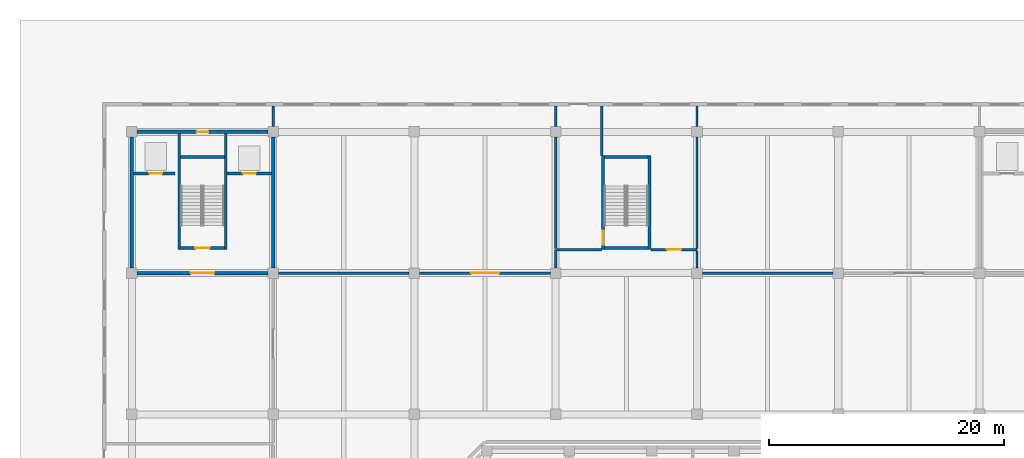
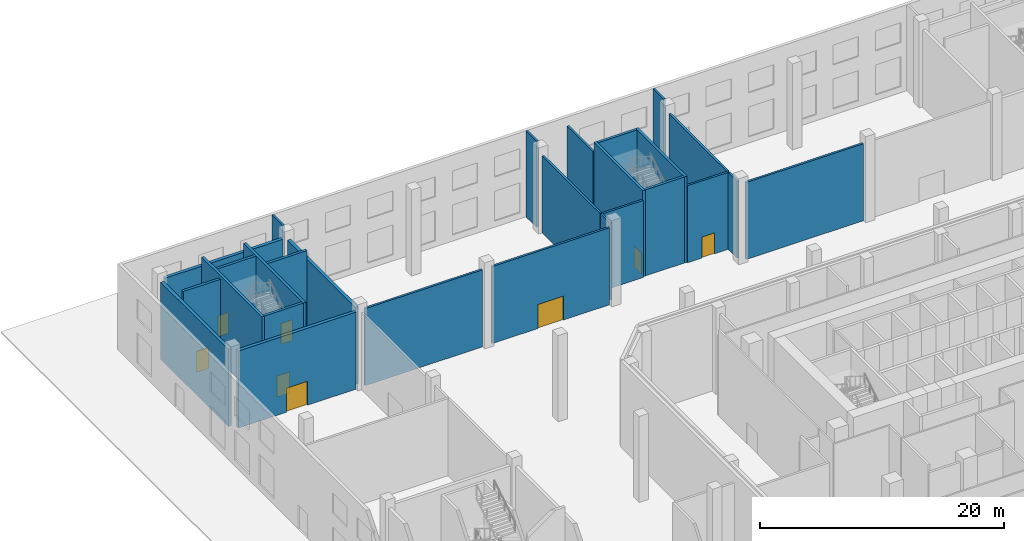
# One storey, part 26 of 43: 27 walls, 8 doors, 8 openings.
"""IFC4 building model written with IfcOpenShell, lengths in metres."""

from ifc_helpers import new_model, si_unit, direction, frame, frame_2d, origin, place, context, subcontext, project, spatial, rectangle, extrude, source, transform, mapped, material, layer, layer_set, type_object, element, fill, save


model = new_model("IFC4")

# Units and contexts
model_context = context("Model", 3, precision=1e-05, world=origin(), true_north=direction((0.0, 1.0)))
body_context = subcontext(model_context, "Body", "Model", "MODEL_VIEW")
ifc_project = project(units=[si_unit("LENGTHUNIT", "METRE"), si_unit("AREAUNIT", "SQUARE_METRE"), si_unit("VOLUMEUNIT", "CUBIC_METRE"), si_unit("PLANEANGLEUNIT", "RADIAN"), si_unit("MASSUNIT", "GRAM", prefix="KILO")], contexts=[model_context])

# Site, building, storey
site_placement = place(None, origin())
site = spatial("IfcSite", under=ifc_project, at=site_placement, CompositionType="ELEMENT")
building_placement = place(site_placement, origin())
building = spatial("IfcBuilding", under=site, at=building_placement, Name="Kilnfold Tower and Market Hall", CompositionType="ELEMENT")
storey_placement = place(building_placement, origin())
storey = spatial("IfcBuildingStorey", under=building, at=storey_placement, Name="L00", CompositionType="ELEMENT", Elevation=0.0)

# Wall
ifc_material_1 = material(Name="Concrete C50/60", Category="concrete")
ifc_layer_1 = layer(ifc_material_1, 0.25)
ifc_layer_set_1 = layer_set([ifc_layer_1], Name="Concrete C50/60")
wall_type_1 = type_object("IfcWallType", Name="HALL CORE WALL 250", PredefinedType="SHEAR", material=ifc_layer_set_1)
shared_shape_1 = source(origin(), body_context, "Body", "SweptSolid", [
    extrude(rectangle(XDim=3.699951171875, YDim=0.25, at=frame_2d((1.85009765625, 0.0))), origin(), (0.0, 0.0, 1.0), 8.60009765625),
])
wall_1_placement = place(storey_placement, frame((-46.800048828125, 52.52490234375, 0.0), z_axis=(0.0, 0.0, 1.0), x_axis=(-1.0, 0.0, 0.0)))
element("IfcWall", 1, at=wall_1_placement, inside=storey, type_object=wall_type_1, Name="Core wall MH2", PredefinedType="SHEAR", context=body_context, shape_type="MappedRepresentation", body=[
    mapped(shared_shape_1, transform((0.0, 0.0, 0.0))),
])

# Wall, opening, door
wall_2_placement = place(storey_placement, frame((-46.800048828125, 44.77490234375, 0.0), z_axis=(0.0, 0.0, 1.0), x_axis=(-1.0, 0.0, 0.0)))
wall_2 = element("IfcWall", 2, at=wall_2_placement, inside=storey, type_object=wall_type_1, Name="Core wall MH2", PredefinedType="SHEAR", context=body_context, shape_type="MappedRepresentation", body=[
    mapped(shared_shape_1, transform((0.0, 0.0, 0.0))),
])
opening_1_placement = place(wall_2_placement, frame((1.25, 0.0, 0.0)))
opening_1 = element("IfcOpeningElement", 3, at=opening_1_placement, cuts=wall_2, Name="Opening MD9-60", PredefinedType="OPENING", context=body_context, shape_type="SweptSolid", body=[
    extrude(rectangle(XDim=1.199951171875, YDim=2.10009765625, at=frame_2d((0.60009765625, 1.050048828125))), frame((0.0, 0.135009765625, 0.0), z_axis=(0.0, -1.0, 0.0), x_axis=(1.0, 0.0, 0.0)), (0.0, 0.0, 1.0), 0.27001953125),
])
ifc_material_2 = material(Name="Steel S355", Category="steel")
door_type_1 = type_object("IfcDoorType", Name="HALL DOOR STAIR 1200X2100 FD60", OperationType="NOTDEFINED", PredefinedType="DOOR", material=ifc_material_2)
door_1_placement = place(opening_1_placement, origin())
door_1 = element("IfcDoor", 4, at=door_1_placement, inside=storey, type_object=door_type_1, Name="Door MD9-60", OperationType="DOUBLE_DOOR_SINGLE_SWING", OverallHeight=2.10009765625, OverallWidth=1.199951171875, PredefinedType="DOOR", context=body_context, shape_type="SweptSolid", body=[
    extrude(rectangle(XDim=1.199951171875, YDim=2.10009765625, at=frame_2d((0.60009765625, 1.050048828125))), frame((0.0, 0.02490234375, 0.0), z_axis=(0.0, -1.0, 0.0), x_axis=(1.0, 0.0, 0.0)), (0.0, 0.0, 1.0), 0.050048828125),
])
fill(opening_1, door_1)

# Walls
for number, where, z_axis, x_axis, name in (
    (5, (-14.5, 44.77490234375, 0.0), (0.0, 0.0, 1.0), (1.0, 0.0, 0.0), "Core wall MS4"),
    (6, (-14.5, 52.52490234375, 0.0), (0.0, 0.0, 1.0), (1.0, 0.0, 0.0), "Core wall MS4"),
):
    element("IfcWall", number, at=place(storey_placement, frame(where, z_axis=z_axis, x_axis=x_axis)), inside=storey, type_object=wall_type_1, Name=name, PredefinedType="SHEAR", context=body_context, shape_type="MappedRepresentation", body=[
        mapped(shared_shape_1, transform((0.0, 0.0, 0.0))),
    ])

# Wall, opening, door
shared_shape_2 = source(origin(), body_context, "Body", "SweptSolid", [
    extrude(rectangle(XDim=8.0, YDim=0.25, at=frame_2d((4.0, 0.0))), origin(), (0.0, 0.0, 1.0), 8.60009765625),
])
wall_3_placement = place(storey_placement, frame((-14.625, 44.64990234375, 0.0), z_axis=(0.0, 0.0, 1.0), x_axis=(0.0, 1.0, 0.0)))
wall_3 = element("IfcWall", 7, at=wall_3_placement, inside=storey, type_object=wall_type_1, Name="Core wall MS4", PredefinedType="SHEAR", context=body_context, shape_type="MappedRepresentation", body=[
    mapped(shared_shape_2, transform((0.0, 0.0, 0.0))),
])
opening_2_placement = place(wall_3_placement, frame((0.39990234375, 0.0, 0.0)))
opening_2 = element("IfcOpeningElement", 8, at=opening_2_placement, cuts=wall_3, Name="Opening MD9-60", PredefinedType="OPENING", context=body_context, shape_type="SweptSolid", body=[
    extrude(rectangle(XDim=1.199951171875, YDim=2.10009765625, at=frame_2d((0.60009765625, 1.050048828125))), frame((0.0, 0.135009765625, 0.0), z_axis=(0.0, -1.0, 0.0), x_axis=(1.0, 0.0, 0.0)), (0.0, 0.0, 1.0), 0.27001953125),
])
door_2_placement = place(opening_2_placement, origin())
door_2 = element("IfcDoor", 9, at=door_2_placement, inside=storey, type_object=door_type_1, Name="Door MD9-60", OperationType="DOUBLE_DOOR_SINGLE_SWING", OverallHeight=2.10009765625, OverallWidth=1.199951171875, PredefinedType="DOOR", context=body_context, shape_type="SweptSolid", body=[
    extrude(rectangle(XDim=1.199951171875, YDim=2.10009765625, at=frame_2d((0.60009765625, 1.050048828125))), frame((0.0, 0.02490234375, 0.0), z_axis=(0.0, -1.0, 0.0), x_axis=(1.0, 0.0, 0.0)), (0.0, 0.0, 1.0), 0.050048828125),
])
fill(opening_2, door_2)

# Wall
wall_4_placement = place(storey_placement, frame((-10.675048828125, 44.64990234375, 0.0), z_axis=(0.0, 0.0, 1.0), x_axis=(0.0, 1.0, 0.0)))
element("IfcWall", 10, at=wall_4_placement, inside=storey, type_object=wall_type_1, Name="Core wall MS4", PredefinedType="SHEAR", context=body_context, shape_type="MappedRepresentation", body=[
    mapped(shared_shape_2, transform((0.0, 0.0, 0.0))),
])

# Wall, opening, door
ifc_material_3 = material(Name="Concrete C50/60", Category="concrete")
ifc_layer_2 = layer(ifc_material_3, 0.300048828125)
ifc_layer_set_2 = layer_set([ifc_layer_2], Name="Concrete C50/60")
wall_type_2 = type_object("IfcWallType", Name="HALL CORE WALL 300", PredefinedType="SHEAR", material=ifc_layer_set_2)
shared_shape_3 = source(origin(), body_context, "Body", "SweptSolid", [
    extrude(rectangle(XDim=11.099853515625, YDim=0.300048828125, at=frame_2d((5.5498046875, 0.0))), origin(), (0.0, 0.0, 1.0), 7.699951171875),
])
wall_5_placement = place(storey_placement, frame((-43.10009765625, 54.64990234375, 0.0), z_axis=(0.0, 0.0, 1.0), x_axis=(-1.0, 0.0, 0.0)))
wall_5 = element("IfcWall", 11, at=wall_5_placement, inside=storey, type_object=wall_type_2, Name="Core wall MH2", PredefinedType="SHEAR", context=body_context, shape_type="MappedRepresentation", body=[
    mapped(shared_shape_3, transform((0.0, 0.0, 0.0))),
])
opening_3_placement = place(wall_5_placement, frame((5.050048828125, 0.0, 0.0)))
opening_3 = element("IfcOpeningElement", 12, at=opening_3_placement, cuts=wall_5, Name="Opening MD4-60", PredefinedType="OPENING", context=body_context, shape_type="SweptSolid", body=[
    extrude(rectangle(XDim=1.0, YDim=2.10009765625, at=frame_2d((0.5, 1.050048828125))), frame((0.0, 0.16015625, 0.0), z_axis=(0.0, -1.0, 0.0), x_axis=(1.0, 0.0, 0.0)), (0.0, 0.0, 1.0), 0.320068359375),
])
ifc_material_4 = material(Name="Steel S355", Category="steel")
door_type_2 = type_object("IfcDoorType", Name="HALL DOOR RISER 1000X2100 FD60", OperationType="NOTDEFINED", PredefinedType="DOOR", material=ifc_material_4)
door_3_placement = place(opening_3_placement, origin())
door_3 = element("IfcDoor", 13, at=door_3_placement, inside=storey, type_object=door_type_2, Name="Door MD4-60", OperationType="SINGLE_SWING_RIGHT", OverallHeight=2.10009765625, OverallWidth=1.0, PredefinedType="DOOR", context=body_context, shape_type="SweptSolid", body=[
    extrude(rectangle(XDim=1.0, YDim=2.10009765625, at=frame_2d((0.5, 1.050048828125))), frame((0.0, 0.02490234375, 0.0), z_axis=(0.0, -1.0, 0.0), x_axis=(1.0, 0.0, 0.0)), (0.0, 0.0, 1.0), 0.050048828125),
])
fill(opening_3, door_3)

wall_6_placement = place(storey_placement, frame((-43.10009765625, 42.64990234375, 0.0), z_axis=(0.0, 0.0, 1.0), x_axis=(-1.0, 0.0, 0.0)))
wall_6 = element("IfcWall", 14, at=wall_6_placement, inside=storey, type_object=wall_type_2, Name="Core wall MH2", PredefinedType="SHEAR", context=body_context, shape_type="MappedRepresentation", body=[
    mapped(shared_shape_3, transform((0.0, 0.0, 0.0))),
])
opening_4_placement = place(wall_6_placement, frame((4.550048828125, 0.0, 0.0)))
opening_4 = element("IfcOpeningElement", 15, at=opening_4_placement, cuts=wall_6, Name="Opening MD10-60", PredefinedType="OPENING", context=body_context, shape_type="SweptSolid", body=[
    extrude(rectangle(XDim=2.0, YDim=2.39990234375, at=frame_2d((1.0, 1.199951171875))), frame((0.0, 0.16015625, 0.0), z_axis=(0.0, -1.0, 0.0), x_axis=(1.0, 0.0, 0.0)), (0.0, 0.0, 1.0), 0.320068359375),
])
ifc_material_5 = material(Name="Aluminium glazing", Category="aluminium")
door_type_3 = type_object("IfcDoorType", Name="HALL DOOR LOBBY 2000X2400 FD60", OperationType="NOTDEFINED", PredefinedType="DOOR", material=ifc_material_5)
door_4_placement = place(opening_4_placement, origin())
door_4 = element("IfcDoor", 16, at=door_4_placement, inside=storey, type_object=door_type_3, Name="Door MD10-60", OperationType="DOUBLE_DOOR_SINGLE_SWING", OverallHeight=2.39990234375, OverallWidth=2.0, PredefinedType="DOOR", context=body_context, shape_type="SweptSolid", body=[
    extrude(rectangle(XDim=2.0, YDim=2.39990234375, at=frame_2d((1.0, 1.199951171875))), frame((0.0, 0.02490234375, 0.0), z_axis=(0.0, -1.0, 0.0), x_axis=(1.0, 0.0, 0.0)), (0.0, 0.0, 1.0), 0.050048828125),
])
fill(opening_4, door_4)

# Walls
for number, where, z_axis, x_axis, name in (
    (17, (-42.64990234375, 54.199951171875, 0.0), (0.0, 0.0, 1.0), (0.0, -1.0, 0.0), "Core wall MH2"),
    (18, (-54.64990234375, 54.199951171875, 0.0), (0.0, 0.0, 1.0), (0.0, -1.0, 0.0), "Core wall MH2"),
):
    element("IfcWall", number, at=place(storey_placement, frame(where, z_axis=z_axis, x_axis=x_axis)), inside=storey, type_object=wall_type_2, Name=name, PredefinedType="SHEAR", context=body_context, shape_type="MappedRepresentation", body=[
        mapped(shared_shape_3, transform((0.0, 0.0, 0.0))),
    ])
shared_shape_4 = source(origin(), body_context, "Body", "SweptSolid", [
    extrude(rectangle(XDim=9.85009765625, YDim=0.25, at=frame_2d((4.925048828125, 0.0))), origin(), (0.0, 0.0, 1.0), 8.60009765625),
])
for number, where, z_axis, x_axis, name in (
    (19, (-46.675048828125, 54.5, 0.0), (0.0, 0.0, 1.0), (0.0, -1.0, 0.0), "Core wall MH2"),
    (20, (-50.625, 54.5, 0.0), (0.0, 0.0, 1.0), (0.0, -1.0, 0.0), "Core wall MH2"),
):
    element("IfcWall", number, at=place(storey_placement, frame(where, z_axis=z_axis, x_axis=x_axis)), inside=storey, type_object=wall_type_1, Name=name, PredefinedType="SHEAR", context=body_context, shape_type="MappedRepresentation", body=[
        mapped(shared_shape_4, transform((0.0, 0.0, 0.0))),
    ])

# Wall, opening, door
shared_shape_5 = source(origin(), body_context, "Body", "SweptSolid", [
    extrude(rectangle(XDim=3.75, YDim=0.25, at=frame_2d((1.875, 0.0))), origin(), (0.0, 0.0, 1.0), 8.60009765625),
])
wall_7_placement = place(storey_placement, frame((-42.800048828125, 51.125, 0.0), z_axis=(0.0, 0.0, 1.0), x_axis=(-1.0, 0.0, 0.0)))
wall_7 = element("IfcWall", 21, at=wall_7_placement, inside=storey, type_object=wall_type_1, Name="Core wall MH2", PredefinedType="SHEAR", context=body_context, shape_type="MappedRepresentation", body=[
    mapped(shared_shape_5, transform((0.0, 0.0, 0.0))),
])
opening_5_placement = place(wall_7_placement, frame((1.324951171875, 0.0, 0.0)))
opening_5 = element("IfcOpeningElement", 22, at=opening_5_placement, cuts=wall_7, Name="Opening LD", PredefinedType="OPENING", context=body_context, shape_type="SweptSolid", body=[
    extrude(rectangle(XDim=1.10009765625, YDim=2.10009765625, at=frame_2d((0.550048828125, 1.050048828125))), frame((0.0, 0.135009765625, 0.0), z_axis=(0.0, -1.0, 0.0), x_axis=(1.0, 0.0, 0.0)), (0.0, 0.0, 1.0), 0.27001953125),
])
ifc_material_6 = material(Name="Steel S355", Category="steel")
door_type_4 = type_object("IfcDoorType", Name="HALL LANDING DOOR 1100X2100 FD60", OperationType="NOTDEFINED", PredefinedType="DOOR", material=ifc_material_6)
door_5_placement = place(opening_5_placement, origin())
door_5 = element("IfcDoor", 23, at=door_5_placement, inside=storey, type_object=door_type_4, Name="Door LD", OperationType="SLIDING_TO_LEFT", OverallHeight=2.10009765625, OverallWidth=1.10009765625, PredefinedType="DOOR", context=body_context, shape_type="SweptSolid", body=[
    extrude(rectangle(XDim=1.10009765625, YDim=2.10009765625, at=frame_2d((0.550048828125, 1.050048828125))), frame((0.0, 0.02490234375, 0.0), z_axis=(0.0, -1.0, 0.0), x_axis=(1.0, 0.0, 0.0)), (0.0, 0.0, 1.0), 0.050048828125),
])
fill(opening_5, door_5)

shared_shape_6 = source(origin(), body_context, "Body", "SweptSolid", [
    extrude(rectangle(XDim=3.5, YDim=0.25, at=frame_2d((1.75, 0.0))), origin(), (0.0, 0.0, 1.0), 8.60009765625),
])
wall_8_placement = place(storey_placement, frame((-51.0, 51.125, 0.0), z_axis=(0.0, 0.0, 1.0), x_axis=(-1.0, 0.0, 0.0)))
wall_8 = element("IfcWall", 24, at=wall_8_placement, inside=storey, type_object=wall_type_1, Name="Core wall MH2", PredefinedType="SHEAR", context=body_context, shape_type="MappedRepresentation", body=[
    mapped(shared_shape_6, transform((0.0, 0.0, 0.0))),
])
opening_6_placement = place(wall_8_placement, frame((1.074951171875, 0.0, 0.0)))
opening_6 = element("IfcOpeningElement", 25, at=opening_6_placement, cuts=wall_8, Name="Opening LD", PredefinedType="OPENING", context=body_context, shape_type="SweptSolid", body=[
    extrude(rectangle(XDim=1.10009765625, YDim=2.10009765625, at=frame_2d((0.550048828125, 1.050048828125))), frame((0.0, 0.135009765625, 0.0), z_axis=(0.0, -1.0, 0.0), x_axis=(1.0, 0.0, 0.0)), (0.0, 0.0, 1.0), 0.27001953125),
])
door_6_placement = place(opening_6_placement, origin())
door_6 = element("IfcDoor", 26, at=door_6_placement, inside=storey, type_object=door_type_4, Name="Door LD", OperationType="SLIDING_TO_LEFT", OverallHeight=2.10009765625, OverallWidth=1.10009765625, PredefinedType="DOOR", context=body_context, shape_type="SweptSolid", body=[
    extrude(rectangle(XDim=1.10009765625, YDim=2.10009765625, at=frame_2d((0.550048828125, 1.050048828125))), frame((0.0, 0.02490234375, 0.0), z_axis=(0.0, -1.0, 0.0), x_axis=(1.0, 0.0, 0.0)), (0.0, 0.0, 1.0), 0.050048828125),
])
fill(opening_6, door_6)

# Walls
ifc_material_7 = material(Name="Concrete blockwork", Category="masonry")
ifc_layer_3 = layer(ifc_material_7, 0.199951171875)
ifc_layer_set_3 = layer_set([ifc_layer_3], Name="Concrete blockwork")
wall_type_3 = type_object("IfcWallType", Name="HALL PARTITION 200 EI 60", PredefinedType="PARTITIONING", material=ifc_layer_set_3)
shared_shape_7 = source(origin(), body_context, "Body", "SweptSolid", [
    extrude(rectangle(XDim=1.75, YDim=0.199951171875, at=frame_2d((0.875, 0.0))), origin(), (0.0, 0.0, 1.0), 8.60009765625),
])
for number, where, z_axis, x_axis, name in (
    (27, (-42.64990234375, 56.85009765625, 0.0), (0.0, 0.0, 1.0), (0.0, -1.0, 0.0), "Partition W-MH-L00.18"),
    (28, (-18.64990234375, 56.85009765625, 0.0), (0.0, 0.0, 1.0), (0.0, -1.0, 0.0), "Partition W-MH-L00.34"),
):
    element("IfcWall", number, at=place(storey_placement, frame(where, z_axis=z_axis, x_axis=x_axis)), inside=storey, type_object=wall_type_3, Name=name, PredefinedType="PARTITIONING", context=body_context, shape_type="MappedRepresentation", body=[
        mapped(shared_shape_7, transform((0.0, 0.0, 0.0))),
    ])
ifc_material_8 = material(Name="Concrete blockwork", Category="masonry")
ifc_layer_4 = layer(ifc_material_8, 0.199951171875)
ifc_layer_set_4 = layer_set([ifc_layer_4], Name="Concrete blockwork")
wall_type_4 = type_object("IfcWallType", Name="HALL PARTITION 200 EI 120", PredefinedType="PARTITIONING", material=ifc_layer_set_4)
wall_9_placement = place(storey_placement, frame((-6.64990234375, 56.85009765625, 0.0), z_axis=(0.0, 0.0, 1.0), x_axis=(0.0, -1.0, 0.0)))
element("IfcWall", 29, at=wall_9_placement, inside=storey, type_object=wall_type_4, Name="Partition W-MH-L00.39", PredefinedType="PARTITIONING", context=body_context, shape_type="MappedRepresentation", body=[
    mapped(shared_shape_7, transform((0.0, 0.0, 0.0))),
])
shared_shape_8 = source(origin(), body_context, "Body", "SweptSolid", [
    extrude(rectangle(XDim=9.449951171875, YDim=0.199951171875, at=frame_2d((4.72509765625, 0.0))), origin(), (0.0, 0.0, 1.0), 7.699951171875),
])
wall_10_placement = place(storey_placement, frame((-18.64990234375, 54.199951171875, 0.0), z_axis=(0.0, 0.0, 1.0), x_axis=(0.0, -1.0, 0.0)))
element("IfcWall", 30, at=wall_10_placement, inside=storey, type_object=wall_type_3, Name="Partition W-MH-L00.33", PredefinedType="PARTITIONING", context=body_context, shape_type="MappedRepresentation", body=[
    mapped(shared_shape_8, transform((0.0, 0.0, 0.0))),
])
wall_11_placement = place(storey_placement, frame((-6.64990234375, 54.199951171875, 0.0), z_axis=(0.0, 0.0, 1.0), x_axis=(0.0, -1.0, 0.0)))
element("IfcWall", 31, at=wall_11_placement, inside=storey, type_object=wall_type_4, Name="Partition W-MH-L00.38", PredefinedType="PARTITIONING", context=body_context, shape_type="MappedRepresentation", body=[
    mapped(shared_shape_8, transform((0.0, 0.0, 0.0))),
])
shared_shape_9 = source(origin(), body_context, "Body", "SweptSolid", [
    extrude(rectangle(XDim=1.449951171875, YDim=0.199951171875, at=frame_2d((0.72509765625, 0.0))), origin(), (0.0, 0.0, 1.0), 7.699951171875),
])
wall_12_placement = place(storey_placement, frame((-6.64990234375, 44.550048828125, 0.0), z_axis=(0.0, 0.0, 1.0), x_axis=(0.0, -1.0, 0.0)))
element("IfcWall", 32, at=wall_12_placement, inside=storey, type_object=wall_type_3, Name="Partition W-MH-L00.37", PredefinedType="PARTITIONING", context=body_context, shape_type="MappedRepresentation", body=[
    mapped(shared_shape_9, transform((0.0, 0.0, 0.0))),
])
shared_shape_10 = source(origin(), body_context, "Body", "SweptSolid", [
    extrude(rectangle(XDim=11.099853515625, YDim=0.199951171875, at=frame_2d((5.5498046875, 0.0))), origin(), (0.0, 0.0, 1.0), 7.699951171875),
])
wall_13_placement = place(storey_placement, frame((-42.199951171875, 42.64990234375, 0.0), z_axis=(0.0, 0.0, 1.0), x_axis=(1.0, 0.0, 0.0)))
element("IfcWall", 33, at=wall_13_placement, inside=storey, type_object=wall_type_3, Name="Partition W-MH-L00.19", PredefinedType="PARTITIONING", context=body_context, shape_type="MappedRepresentation", body=[
    mapped(shared_shape_10, transform((0.0, 0.0, 0.0))),
])

# Wall, opening, door
wall_14_placement = place(storey_placement, frame((-30.199951171875, 42.64990234375, 0.0), z_axis=(0.0, 0.0, 1.0), x_axis=(1.0, 0.0, 0.0)))
wall_14 = element("IfcWall", 34, at=wall_14_placement, inside=storey, type_object=wall_type_3, Name="Partition W-MH-L00.28", PredefinedType="PARTITIONING", context=body_context, shape_type="MappedRepresentation", body=[
    mapped(shared_shape_10, transform((0.0, 0.0, 0.0))),
])
opening_7_placement = place(wall_14_placement, frame((4.35009765625, 0.0, 0.0)))
opening_7 = element("IfcOpeningElement", 35, at=opening_7_placement, cuts=wall_14, Name="Opening MD7-60", PredefinedType="OPENING", context=body_context, shape_type="SweptSolid", body=[
    extrude(rectangle(XDim=2.39990234375, YDim=2.39990234375, at=frame_2d((1.199951171875, 1.199951171875))), frame((0.0, 0.10986328125, 0.0), z_axis=(0.0, -1.0, 0.0), x_axis=(1.0, 0.0, 0.0)), (0.0, 0.0, 1.0), 0.219970703125),
])
ifc_material_9 = material(Name="Aluminium glazing", Category="aluminium")
door_type_5 = type_object("IfcDoorType", Name="HALL DOOR HALL 2400X2400 FD60", OperationType="NOTDEFINED", PredefinedType="DOOR", material=ifc_material_9)
door_7_placement = place(opening_7_placement, origin())
door_7 = element("IfcDoor", 36, at=door_7_placement, inside=storey, type_object=door_type_5, Name="Door MD7-60", OperationType="DOUBLE_DOOR_SINGLE_SWING", OverallHeight=2.39990234375, OverallWidth=2.39990234375, PredefinedType="DOOR", context=body_context, shape_type="SweptSolid", body=[
    extrude(rectangle(XDim=2.39990234375, YDim=2.39990234375, at=frame_2d((1.199951171875, 1.199951171875))), frame((0.0, 0.02490234375, 0.0), z_axis=(0.0, -1.0, 0.0), x_axis=(1.0, 0.0, 0.0)), (0.0, 0.0, 1.0), 0.050048828125),
])
fill(opening_7, door_7)

# Walls
wall_15_placement = place(storey_placement, frame((-6.199951171875, 42.64990234375, 0.0), z_axis=(0.0, 0.0, 1.0), x_axis=(1.0, 0.0, 0.0)))
element("IfcWall", 37, at=wall_15_placement, inside=storey, type_object=wall_type_3, Name="Partition W-MH-L00.40", PredefinedType="PARTITIONING", context=body_context, shape_type="MappedRepresentation", body=[
    mapped(shared_shape_10, transform((0.0, 0.0, 0.0))),
])
shared_shape_11 = source(origin(), body_context, "Body", "SweptSolid", [
    extrude(rectangle(XDim=1.5498046875, YDim=0.199951171875, at=frame_2d((0.77490234375, 0.0))), origin(), (0.0, 0.0, 1.0), 7.699951171875),
])
wall_16_placement = place(storey_placement, frame((-18.64990234375, 43.10009765625, 0.0), z_axis=(0.0, 0.0, 1.0), x_axis=(0.0, 1.0, 0.0)))
element("IfcWall", 38, at=wall_16_placement, inside=storey, type_object=wall_type_3, Name="Partition W-MH-L00.31", PredefinedType="PARTITIONING", context=body_context, shape_type="MappedRepresentation", body=[
    mapped(shared_shape_11, transform((0.0, 0.0, 0.0))),
])
shared_shape_12 = source(origin(), body_context, "Body", "SweptSolid", [
    extrude(rectangle(XDim=3.800048828125, YDim=0.199951171875, at=frame_2d((1.89990234375, 0.0))), origin(), (0.0, 0.0, 1.0), 7.699951171875),
])
wall_17_placement = place(storey_placement, frame((-18.550048828125, 44.64990234375, 0.0), z_axis=(0.0, 0.0, 1.0), x_axis=(1.0, 0.0, 0.0)))
element("IfcWall", 39, at=wall_17_placement, inside=storey, type_object=wall_type_3, Name="Partition W-MH-L00.32", PredefinedType="PARTITIONING", context=body_context, shape_type="MappedRepresentation", body=[
    mapped(shared_shape_12, transform((0.0, 0.0, 0.0))),
])
shared_shape_13 = source(origin(), body_context, "Body", "SweptSolid", [
    extrude(rectangle(XDim=4.2001953125, YDim=0.199951171875, at=frame_2d((2.10009765625, 0.0))), origin(), (0.0, 0.0, 1.0), 7.699951171875),
])
wall_18_placement = place(storey_placement, frame((-14.75, 52.64990234375, 0.0), z_axis=(0.0, 0.0, 1.0), x_axis=(0.0, 1.0, 0.0)))
element("IfcWall", 40, at=wall_18_placement, inside=storey, type_object=wall_type_4, Name="Partition W-MH-L00.35", PredefinedType="PARTITIONING", context=body_context, shape_type="MappedRepresentation", body=[
    mapped(shared_shape_13, transform((0.0, 0.0, 0.0))),
])

# Wall, opening, door
shared_shape_14 = source(origin(), body_context, "Body", "SweptSolid", [
    extrude(rectangle(XDim=3.900146484375, YDim=0.199951171875, at=frame_2d((1.9501953125, 0.0))), origin(), (0.0, 0.0, 1.0), 7.699951171875),
])
wall_19_placement = place(storey_placement, frame((-10.550048828125, 44.64990234375, 0.0), z_axis=(0.0, 0.0, 1.0), x_axis=(1.0, 0.0, 0.0)))
wall_19 = element("IfcWall", 41, at=wall_19_placement, inside=storey, type_object=wall_type_4, Name="Partition W-MH-L00.36", PredefinedType="PARTITIONING", context=body_context, shape_type="MappedRepresentation", body=[
    mapped(shared_shape_14, transform((0.0, 0.0, 0.0))),
])
opening_8_placement = place(wall_19_placement, frame((1.35009765625, 0.0, 0.0)))
opening_8 = element("IfcOpeningElement", 42, at=opening_8_placement, cuts=wall_19, Name="Opening MD3-120", PredefinedType="OPENING", context=body_context, shape_type="SweptSolid", body=[
    extrude(rectangle(XDim=1.199951171875, YDim=2.10009765625, at=frame_2d((0.60009765625, 1.050048828125))), frame((0.0, 0.10986328125, 0.0), z_axis=(0.0, -1.0, 0.0), x_axis=(1.0, 0.0, 0.0)), (0.0, 0.0, 1.0), 0.219970703125),
])
ifc_material_10 = material(Name="Steel S355", Category="steel")
door_type_6 = type_object("IfcDoorType", Name="HALL DOOR SERVICE 1200X2100 FD120", OperationType="NOTDEFINED", PredefinedType="DOOR", material=ifc_material_10)
door_8_placement = place(opening_8_placement, origin())
door_8 = element("IfcDoor", 43, at=door_8_placement, inside=storey, type_object=door_type_6, Name="Door MD3-120", OperationType="SINGLE_SWING_LEFT", OverallHeight=2.10009765625, OverallWidth=1.199951171875, PredefinedType="DOOR", context=body_context, shape_type="SweptSolid", body=[
    extrude(rectangle(XDim=1.199951171875, YDim=2.10009765625, at=frame_2d((0.60009765625, 1.050048828125))), frame((0.0, 0.02490234375, 0.0), z_axis=(0.0, -1.0, 0.0), x_axis=(1.0, 0.0, 0.0)), (0.0, 0.0, 1.0), 0.050048828125),
])
fill(opening_8, door_8)

save(model, "model.ifc")
